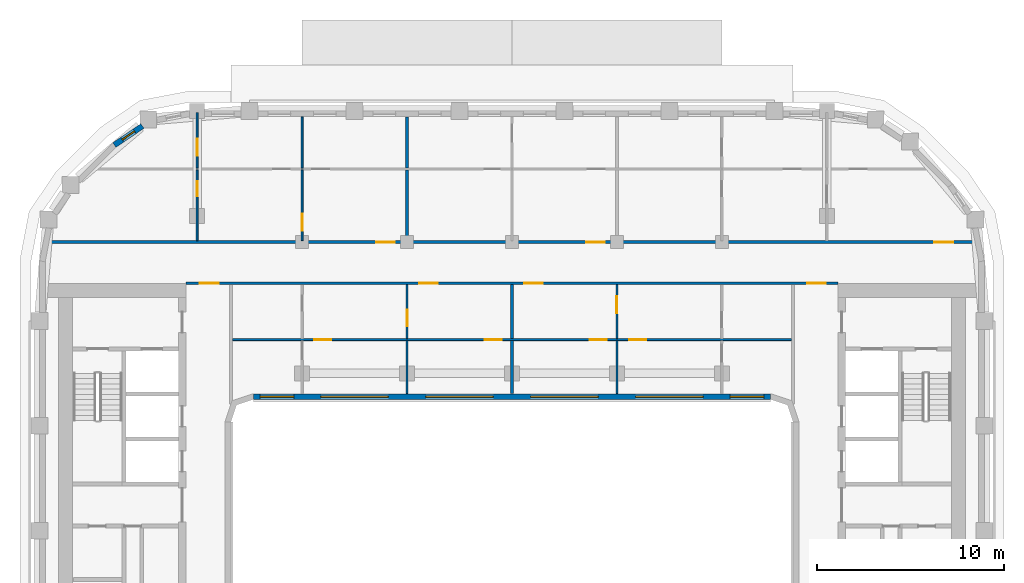
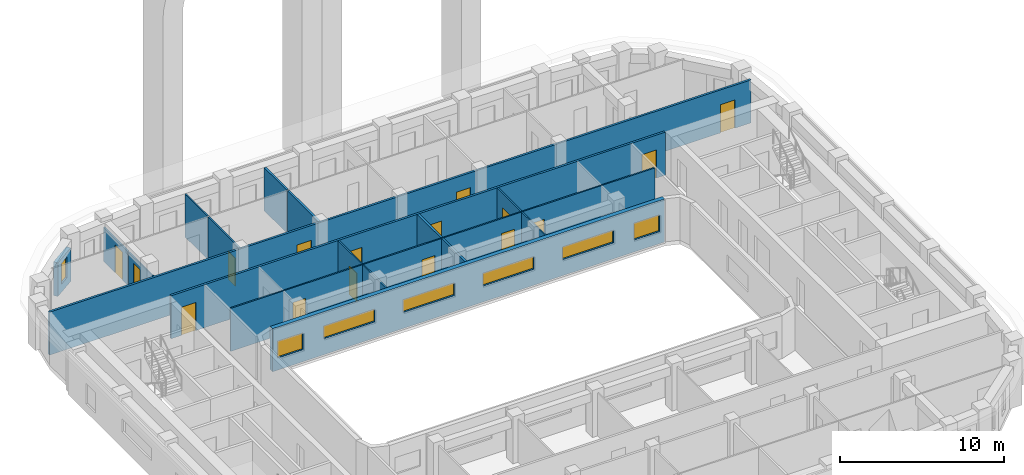
# One storey, part 6 of 18: 17 walls, 16 doors, 7 windows, 23 openings.
"""IFC4 building model written with IfcOpenShell, lengths in metres."""

from ifc_helpers import new_model, si_unit, direction, frame, frame_2d, origin, place, context, subcontext, project, spatial, rectangle, extrude, material, layer, layer_set, type_object, element, fill, save


model = new_model("IFC4")

# Units and contexts
model_context = context("Model", 3, precision=1e-05, world=origin(), true_north=direction((0.0, 1.0)))
body_context = subcontext(model_context, "Body", "Model", "MODEL_VIEW")
ifc_project = project(units=[si_unit("LENGTHUNIT", "METRE"), si_unit("AREAUNIT", "SQUARE_METRE"), si_unit("VOLUMEUNIT", "CUBIC_METRE"), si_unit("PLANEANGLEUNIT", "RADIAN"), si_unit("MASSUNIT", "GRAM", prefix="KILO")], contexts=[model_context])

# Site, building, storey
site_placement = place(None, origin())
site = spatial("IfcSite", under=ifc_project, at=site_placement, CompositionType="ELEMENT")
building_placement = place(site_placement, origin())
building = spatial("IfcBuilding", under=site, at=building_placement, Name="Kiln Ring Residences", CompositionType="ELEMENT")
storey_placement = place(building_placement, frame((0.0, 0.0, 209.89990234375)))
storey = spatial("IfcBuildingStorey", under=building, at=storey_placement, Name="L54", CompositionType="ELEMENT", Elevation=209.89990234375)

# Wall, opening, window
ifc_material_1 = material(Name="Brick masonry, dark clay brick", Category="masonry")
ifc_layer_1 = layer(ifc_material_1, 0.300048828125)
ifc_layer_set_1 = layer_set([ifc_layer_1], Name="EW-300 BRICK WALL")
wall_type_1 = type_object("IfcWallType", Name="EW-300 BRICK WALL", PredefinedType="SOLIDWALL", material=ifc_layer_set_1)
wall_1_placement = place(storey_placement, frame((-19.718994140625, 21.593994140625, 0.0), z_axis=(0.0, 0.0, 1.0), x_axis=(-0.827067282455, -0.562102935673, 0.0)))
wall_1 = element("IfcWall", 1, at=wall_1_placement, inside=storey, type_object=wall_type_1, Name="Facade wall L54 35", PredefinedType="SOLIDWALL", context=body_context, shape_type="SweptSolid", body=[
    extrude(rectangle(XDim=1.805908203125, YDim=0.300048828125, at=frame_2d((0.90283203125, 0.0))), origin(), (0.0, 0.0, 1.0), 2.5),
])
opening_1_placement = place(wall_1_placement, frame((0.5029296875, 0.0, 0.60009765625)))
opening_1 = element("IfcOpeningElement", 2, at=opening_1_placement, cuts=wall_1, Name="Opening W5", PredefinedType="OPENING", context=body_context, shape_type="SweptSolid", body=[
    extrude(rectangle(XDim=0.800048828125, YDim=1.550048828125, at=frame_2d((0.39990234375, 0.77490234375))), frame((0.0, 0.159912109375, 0.0), z_axis=(0.0, -1.0, 0.0), x_axis=(1.0, 0.0, 0.0)), (0.0, 0.0, 1.0), 0.320068359375),
])
ifc_material_2 = material(Name="Aluminium frame with double glazing", Category="aluminium")
window_type_1 = type_object("IfcWindowType", Name="WINDOW 800 x 1550", PartitioningType="SINGLE_PANEL", PredefinedType="WINDOW", material=ifc_material_2)
window_1_placement = place(opening_1_placement, origin())
window_1 = element("IfcWindow", 3, at=window_1_placement, inside=storey, type_object=window_type_1, Name="Window L54 32", OverallHeight=1.550048828125, OverallWidth=0.800048828125, PartitioningType="SINGLE_PANEL", PredefinedType="WINDOW", context=body_context, shape_type="SweptSolid", body=[
    extrude(rectangle(XDim=0.800048828125, YDim=1.550048828125, at=frame_2d((0.39990234375, 0.77490234375))), frame((0.0, 0.030029296875, 0.0), z_axis=(0.0, -1.0, 0.0), x_axis=(1.0, 0.0, 0.0)), (0.0, 0.0, 1.0), 0.06005859375),
])
fill(opening_1, window_1)

# Wall, openings, windows
wall_2_placement = place(storey_placement, frame((-13.800048828125, 7.14990234375, 0.0), z_axis=(0.0, 0.0, 1.0), x_axis=(1.0, 0.0, 0.0)))
wall_2 = element("IfcWall", 4, at=wall_2_placement, inside=storey, type_object=wall_type_1, Name="Facade wall L54 48", PredefinedType="SOLIDWALL", context=body_context, shape_type="SweptSolid", body=[
    extrude(rectangle(XDim=27.60009765625, YDim=0.300048828125, at=frame_2d((13.800048828125, 0.0))), origin(), (0.0, 0.0, 1.0), 3.2001953125),
])
opening_2_placement = place(wall_2_placement, frame((0.362548828125, 0.0, 0.89990234375)))
opening_2 = element("IfcOpeningElement", 5, at=opening_2_placement, cuts=wall_2, Name="Opening W2", PredefinedType="OPENING", context=body_context, shape_type="SweptSolid", body=[
    extrude(rectangle(XDim=1.800048828125, YDim=1.25, at=frame_2d((0.89990234375, 0.625))), frame((0.0, 0.159912109375, 0.0), z_axis=(0.0, -1.0, 0.0), x_axis=(1.0, 0.0, 0.0)), (0.0, 0.0, 1.0), 0.320068359375),
])
opening_3_placement = place(wall_2_placement, frame((3.60009765625, 0.0, 1.199951171875)))
opening_3 = element("IfcOpeningElement", 6, at=opening_3_placement, cuts=wall_2, Name="Opening W4", PredefinedType="OPENING", context=body_context, shape_type="SweptSolid", body=[
    extrude(rectangle(XDim=3.60009765625, YDim=0.949951171875, at=frame_2d((1.800048828125, 0.47509765625))), frame((0.0, 0.159912109375, 0.0), z_axis=(0.0, -1.0, 0.0), x_axis=(1.0, 0.0, 0.0)), (0.0, 0.0, 1.0), 0.320068359375),
])
opening_4_placement = place(wall_2_placement, frame((9.199951171875, 0.0, 1.199951171875)))
opening_4 = element("IfcOpeningElement", 7, at=opening_4_placement, cuts=wall_2, Name="Opening W4", PredefinedType="OPENING", context=body_context, shape_type="SweptSolid", body=[
    extrude(rectangle(XDim=3.60009765625, YDim=0.949951171875, at=frame_2d((1.800048828125, 0.47509765625))), frame((0.0, 0.159912109375, 0.0), z_axis=(0.0, -1.0, 0.0), x_axis=(1.0, 0.0, 0.0)), (0.0, 0.0, 1.0), 0.320068359375),
])
opening_5_placement = place(wall_2_placement, frame((14.800048828125, 0.0, 1.199951171875)))
opening_5 = element("IfcOpeningElement", 8, at=opening_5_placement, cuts=wall_2, Name="Opening W4", PredefinedType="OPENING", context=body_context, shape_type="SweptSolid", body=[
    extrude(rectangle(XDim=3.60009765625, YDim=0.949951171875, at=frame_2d((1.800048828125, 0.47509765625))), frame((0.0, 0.159912109375, 0.0), z_axis=(0.0, -1.0, 0.0), x_axis=(1.0, 0.0, 0.0)), (0.0, 0.0, 1.0), 0.320068359375),
])
opening_6_placement = place(wall_2_placement, frame((20.39990234375, 0.0, 1.199951171875)))
opening_6 = element("IfcOpeningElement", 9, at=opening_6_placement, cuts=wall_2, Name="Opening W4", PredefinedType="OPENING", context=body_context, shape_type="SweptSolid", body=[
    extrude(rectangle(XDim=3.60009765625, YDim=0.949951171875, at=frame_2d((1.800048828125, 0.47509765625))), frame((0.0, 0.159912109375, 0.0), z_axis=(0.0, -1.0, 0.0), x_axis=(1.0, 0.0, 0.0)), (0.0, 0.0, 1.0), 0.320068359375),
])
opening_7_placement = place(wall_2_placement, frame((25.4375, 0.0, 0.89990234375)))
opening_7 = element("IfcOpeningElement", 10, at=opening_7_placement, cuts=wall_2, Name="Opening W2", PredefinedType="OPENING", context=body_context, shape_type="SweptSolid", body=[
    extrude(rectangle(XDim=1.800048828125, YDim=1.25, at=frame_2d((0.89990234375, 0.625))), frame((0.0, 0.159912109375, 0.0), z_axis=(0.0, -1.0, 0.0), x_axis=(1.0, 0.0, 0.0)), (0.0, 0.0, 1.0), 0.320068359375),
])
ifc_material_3 = material(Name="Aluminium frame with double glazing", Category="aluminium")
window_type_2 = type_object("IfcWindowType", Name="WINDOW 1800 x 1250", PartitioningType="SINGLE_PANEL", PredefinedType="WINDOW", material=ifc_material_3)
window_2_placement = place(opening_2_placement, origin())
window_2 = element("IfcWindow", 11, at=window_2_placement, inside=storey, type_object=window_type_2, Name="Window L54 34", OverallHeight=1.25, OverallWidth=1.800048828125, PartitioningType="SINGLE_PANEL", PredefinedType="WINDOW", context=body_context, shape_type="SweptSolid", body=[
    extrude(rectangle(XDim=1.800048828125, YDim=1.25, at=frame_2d((0.89990234375, 0.625))), frame((0.0, 0.030029296875, 0.0), z_axis=(0.0, -1.0, 0.0), x_axis=(1.0, 0.0, 0.0)), (0.0, 0.0, 1.0), 0.06005859375),
])
fill(opening_2, window_2)
window_3_placement = place(opening_7_placement, origin())
window_3 = element("IfcWindow", 12, at=window_3_placement, inside=storey, type_object=window_type_2, Name="Window L54 39", OverallHeight=1.25, OverallWidth=1.800048828125, PartitioningType="SINGLE_PANEL", PredefinedType="WINDOW", context=body_context, shape_type="SweptSolid", body=[
    extrude(rectangle(XDim=1.800048828125, YDim=1.25, at=frame_2d((0.89990234375, 0.625))), frame((0.0, 0.030029296875, 0.0), z_axis=(0.0, -1.0, 0.0), x_axis=(1.0, 0.0, 0.0)), (0.0, 0.0, 1.0), 0.06005859375),
])
fill(opening_7, window_3)
ifc_material_4 = material(Name="Aluminium frame with double glazing", Category="aluminium")
window_type_3 = type_object("IfcWindowType", Name="WINDOW 3600 x 950", PartitioningType="SINGLE_PANEL", PredefinedType="WINDOW", material=ifc_material_4)
window_4_placement = place(opening_3_placement, origin())
window_4 = element("IfcWindow", 13, at=window_4_placement, inside=storey, type_object=window_type_3, Name="Window L54 35", OverallHeight=0.949951171875, OverallWidth=3.60009765625, PartitioningType="SINGLE_PANEL", PredefinedType="WINDOW", context=body_context, shape_type="SweptSolid", body=[
    extrude(rectangle(XDim=3.60009765625, YDim=0.949951171875, at=frame_2d((1.800048828125, 0.47509765625))), frame((0.0, 0.030029296875, 0.0), z_axis=(0.0, -1.0, 0.0), x_axis=(1.0, 0.0, 0.0)), (0.0, 0.0, 1.0), 0.06005859375),
])
fill(opening_3, window_4)
window_5_placement = place(opening_4_placement, origin())
window_5 = element("IfcWindow", 14, at=window_5_placement, inside=storey, type_object=window_type_3, Name="Window L54 36", OverallHeight=0.949951171875, OverallWidth=3.60009765625, PartitioningType="SINGLE_PANEL", PredefinedType="WINDOW", context=body_context, shape_type="SweptSolid", body=[
    extrude(rectangle(XDim=3.60009765625, YDim=0.949951171875, at=frame_2d((1.800048828125, 0.47509765625))), frame((0.0, 0.030029296875, 0.0), z_axis=(0.0, -1.0, 0.0), x_axis=(1.0, 0.0, 0.0)), (0.0, 0.0, 1.0), 0.06005859375),
])
fill(opening_4, window_5)
window_6_placement = place(opening_5_placement, origin())
window_6 = element("IfcWindow", 15, at=window_6_placement, inside=storey, type_object=window_type_3, Name="Window L54 37", OverallHeight=0.949951171875, OverallWidth=3.60009765625, PartitioningType="SINGLE_PANEL", PredefinedType="WINDOW", context=body_context, shape_type="SweptSolid", body=[
    extrude(rectangle(XDim=3.60009765625, YDim=0.949951171875, at=frame_2d((1.800048828125, 0.47509765625))), frame((0.0, 0.030029296875, 0.0), z_axis=(0.0, -1.0, 0.0), x_axis=(1.0, 0.0, 0.0)), (0.0, 0.0, 1.0), 0.06005859375),
])
fill(opening_5, window_6)
window_7_placement = place(opening_6_placement, origin())
window_7 = element("IfcWindow", 16, at=window_7_placement, inside=storey, type_object=window_type_3, Name="Window L54 38", OverallHeight=0.949951171875, OverallWidth=3.60009765625, PartitioningType="SINGLE_PANEL", PredefinedType="WINDOW", context=body_context, shape_type="SweptSolid", body=[
    extrude(rectangle(XDim=3.60009765625, YDim=0.949951171875, at=frame_2d((1.800048828125, 0.47509765625))), frame((0.0, 0.030029296875, 0.0), z_axis=(0.0, -1.0, 0.0), x_axis=(1.0, 0.0, 0.0)), (0.0, 0.0, 1.0), 0.06005859375),
])
fill(opening_6, window_7)

# Wall, openings, doors
ifc_material_5 = material(Name="Gypsum board on steel studs", Category="steel")
ifc_layer_2 = layer(ifc_material_5, 0.10009765625)
ifc_layer_set_2 = layer_set([ifc_layer_2], Name="PARTITION-100")
wall_type_2 = type_object("IfcWallType", Name="PARTITION-100", PredefinedType="PARTITIONING", material=ifc_layer_set_2)
wall_3_placement = place(storey_placement, frame((-14.925048828125, 10.199951171875, 0.0), z_axis=(0.0, 0.0, 1.0), x_axis=(1.0, 0.0, 0.0)))
wall_3 = element("IfcWall", 17, at=wall_3_placement, inside=storey, type_object=wall_type_2, Name="Partition 003", PredefinedType="PARTITIONING", context=body_context, shape_type="SweptSolid", body=[
    extrude(rectangle(XDim=29.85009765625, YDim=0.10009765625, at=frame_2d((14.925048828125, 0.0))), origin(), (0.0, 0.0, 1.0), 3.2001953125),
])
opening_8_placement = place(wall_3_placement, frame((13.47509765625, 0.0, 0.0)))
opening_8 = element("IfcOpeningElement", 18, at=opening_8_placement, cuts=wall_3, Name="Opening L54-D008", PredefinedType="OPENING", context=body_context, shape_type="SweptSolid", body=[
    extrude(rectangle(XDim=0.89990234375, YDim=2.10009765625, at=frame_2d((0.449951171875, 1.050048828125))), frame((0.0, 0.06005859375, 0.0), z_axis=(0.0, -1.0, 0.0), x_axis=(1.0, 0.0, 0.0)), (0.0, 0.0, 1.0), 0.1201171875),
])
opening_9_placement = place(wall_3_placement, frame((4.375, 0.0, 0.0)))
opening_9 = element("IfcOpeningElement", 19, at=opening_9_placement, cuts=wall_3, Name="Opening L54-D009", PredefinedType="OPENING", context=body_context, shape_type="SweptSolid", body=[
    extrude(rectangle(XDim=0.89990234375, YDim=2.10009765625, at=frame_2d((0.449951171875, 1.050048828125))), frame((0.0, 0.06005859375, 0.0), z_axis=(0.0, -1.0, 0.0), x_axis=(1.0, 0.0, 0.0)), (0.0, 0.0, 1.0), 0.1201171875),
])
opening_10_placement = place(wall_3_placement, frame((19.074951171875, 0.0, 0.0)))
opening_10 = element("IfcOpeningElement", 20, at=opening_10_placement, cuts=wall_3, Name="Opening L54-D014", PredefinedType="OPENING", context=body_context, shape_type="SweptSolid", body=[
    extrude(rectangle(XDim=0.89990234375, YDim=2.10009765625, at=frame_2d((0.449951171875, 1.050048828125))), frame((0.0, 0.06005859375, 0.0), z_axis=(0.0, -1.0, 0.0), x_axis=(1.0, 0.0, 0.0)), (0.0, 0.0, 1.0), 0.1201171875),
])
opening_11_placement = place(wall_3_placement, frame((21.175048828125, 0.0, 0.0)))
opening_11 = element("IfcOpeningElement", 21, at=opening_11_placement, cuts=wall_3, Name="Opening L54-D015", PredefinedType="OPENING", context=body_context, shape_type="SweptSolid", body=[
    extrude(rectangle(XDim=0.89990234375, YDim=2.10009765625, at=frame_2d((0.449951171875, 1.050048828125))), frame((0.0, 0.06005859375, 0.0), z_axis=(0.0, -1.0, 0.0), x_axis=(1.0, 0.0, 0.0)), (0.0, 0.0, 1.0), 0.1201171875),
])
ifc_material_6 = material(Name="Timber door leaf", Category="wood")
door_type_1 = type_object("IfcDoorType", Name="FLAT-DOOR-900-PL", OperationType="SINGLE_SWING_LEFT", PredefinedType="DOOR", material=ifc_material_6)
door_1_placement = place(opening_8_placement, origin())
door_1 = element("IfcDoor", 22, at=door_1_placement, inside=storey, type_object=door_type_1, Name="Door L54-D008", OperationType="SINGLE_SWING_RIGHT", OverallHeight=2.10009765625, OverallWidth=0.89990234375, PredefinedType="DOOR", context=body_context, shape_type="SweptSolid", body=[
    extrude(rectangle(XDim=0.89990234375, YDim=2.10009765625, at=frame_2d((0.449951171875, 1.050048828125))), frame((0.0, 0.02490234375, 0.0), z_axis=(0.0, -1.0, 0.0), x_axis=(1.0, 0.0, 0.0)), (0.0, 0.0, 1.0), 0.050048828125),
])
fill(opening_8, door_1)
door_2_placement = place(opening_9_placement, origin())
door_2 = element("IfcDoor", 23, at=door_2_placement, inside=storey, type_object=door_type_1, Name="Door L54-D009", OperationType="SINGLE_SWING_LEFT", OverallHeight=2.10009765625, OverallWidth=0.89990234375, PredefinedType="DOOR", context=body_context, shape_type="SweptSolid", body=[
    extrude(rectangle(XDim=0.89990234375, YDim=2.10009765625, at=frame_2d((0.449951171875, 1.050048828125))), frame((0.0, 0.02490234375, 0.0), z_axis=(0.0, -1.0, 0.0), x_axis=(1.0, 0.0, 0.0)), (0.0, 0.0, 1.0), 0.050048828125),
])
fill(opening_9, door_2)
door_3_placement = place(opening_10_placement, origin())
door_3 = element("IfcDoor", 24, at=door_3_placement, inside=storey, type_object=door_type_1, Name="Door L54-D014", OperationType="SINGLE_SWING_RIGHT", OverallHeight=2.10009765625, OverallWidth=0.89990234375, PredefinedType="DOOR", context=body_context, shape_type="SweptSolid", body=[
    extrude(rectangle(XDim=0.89990234375, YDim=2.10009765625, at=frame_2d((0.449951171875, 1.050048828125))), frame((0.0, 0.02490234375, 0.0), z_axis=(0.0, -1.0, 0.0), x_axis=(1.0, 0.0, 0.0)), (0.0, 0.0, 1.0), 0.050048828125),
])
fill(opening_10, door_3)
door_4_placement = place(opening_11_placement, origin())
door_4 = element("IfcDoor", 25, at=door_4_placement, inside=storey, type_object=door_type_1, Name="Door L54-D015", OperationType="SINGLE_SWING_LEFT", OverallHeight=2.10009765625, OverallWidth=0.89990234375, PredefinedType="DOOR", context=body_context, shape_type="SweptSolid", body=[
    extrude(rectangle(XDim=0.89990234375, YDim=2.10009765625, at=frame_2d((0.449951171875, 1.050048828125))), frame((0.0, 0.02490234375, 0.0), z_axis=(0.0, -1.0, 0.0), x_axis=(1.0, 0.0, 0.0)), (0.0, 0.0, 1.0), 0.050048828125),
])
fill(opening_11, door_4)

# Wall, opening, door
wall_4_placement = place(storey_placement, frame((-16.800048828125, 15.47509765625, 0.0), z_axis=(0.0, 0.0, 1.0), x_axis=(0.0, 1.0, 0.0)))
wall_4 = element("IfcWall", 26, at=wall_4_placement, inside=storey, type_object=wall_type_2, Name="Partition 009", PredefinedType="PARTITIONING", context=body_context, shape_type="SweptSolid", body=[
    extrude(rectangle(XDim=3.77490234375, YDim=0.10009765625, at=frame_2d((1.887451171875, 0.0))), origin(), (0.0, 0.0, 1.0), 2.550048828125),
])
opening_12_placement = place(wall_4_placement, frame((2.375, 0.0, 0.0)))
opening_12 = element("IfcOpeningElement", 27, at=opening_12_placement, cuts=wall_4, Name="Opening L54-D019", PredefinedType="OPENING", context=body_context, shape_type="SweptSolid", body=[
    extrude(rectangle(XDim=0.800048828125, YDim=2.10009765625, at=frame_2d((0.39990234375, 1.050048828125))), frame((0.0, 0.06005859375, 0.0), z_axis=(0.0, -1.0, 0.0), x_axis=(1.0, 0.0, 0.0)), (0.0, 0.0, 1.0), 0.1201171875),
])
ifc_material_7 = material(Name="Timber door leaf", Category="wood")
door_type_2 = type_object("IfcDoorType", Name="FLAT-DOOR-800-PL", OperationType="SINGLE_SWING_LEFT", PredefinedType="DOOR", material=ifc_material_7)
door_5_placement = place(opening_12_placement, origin())
door_5 = element("IfcDoor", 28, at=door_5_placement, inside=storey, type_object=door_type_2, Name="Door L54-D019", OperationType="SINGLE_SWING_LEFT", OverallHeight=2.10009765625, OverallWidth=0.800048828125, PredefinedType="DOOR", context=body_context, shape_type="SweptSolid", body=[
    extrude(rectangle(XDim=0.800048828125, YDim=2.10009765625, at=frame_2d((0.39990234375, 1.050048828125))), frame((0.0, 0.02490234375, 0.0), z_axis=(0.0, -1.0, 0.0), x_axis=(1.0, 0.0, 0.0)), (0.0, 0.0, 1.0), 0.050048828125),
])
fill(opening_12, door_5)

wall_5_placement = place(storey_placement, frame((-16.800048828125, 19.35009765625, 0.0), z_axis=(0.0, 0.0, 1.0), x_axis=(0.0, 1.0, 0.0)))
wall_5 = element("IfcWall", 29, at=wall_5_placement, inside=storey, type_object=wall_type_2, Name="Partition 010", PredefinedType="PARTITIONING", context=body_context, shape_type="SweptSolid", body=[
    extrude(rectangle(XDim=2.9599609375, YDim=0.10009765625, at=frame_2d((1.47998046875, 0.0))), origin(), (0.0, 0.0, 1.0), 2.550048828125),
])
opening_13_placement = place(wall_5_placement, frame((0.659912109375, 0.0, 0.0)))
opening_13 = element("IfcOpeningElement", 30, at=opening_13_placement, cuts=wall_5, Name="Opening L54-D022", PredefinedType="OPENING", context=body_context, shape_type="SweptSolid", body=[
    extrude(rectangle(XDim=0.89990234375, YDim=2.10009765625, at=frame_2d((0.449951171875, 1.050048828125))), frame((0.0, 0.06005859375, 0.0), z_axis=(0.0, -1.0, 0.0), x_axis=(1.0, 0.0, 0.0)), (0.0, 0.0, 1.0), 0.1201171875),
])
door_6_placement = place(opening_13_placement, origin())
door_6 = element("IfcDoor", 31, at=door_6_placement, inside=storey, type_object=door_type_1, Name="Door L54-D022", OperationType="SINGLE_SWING_RIGHT", OverallHeight=2.10009765625, OverallWidth=0.89990234375, PredefinedType="DOOR", context=body_context, shape_type="SweptSolid", body=[
    extrude(rectangle(XDim=0.89990234375, YDim=2.10009765625, at=frame_2d((0.449951171875, 1.050048828125))), frame((0.0, 0.02490234375, 0.0), z_axis=(0.0, -1.0, 0.0), x_axis=(1.0, 0.0, 0.0)), (0.0, 0.0, 1.0), 0.050048828125),
])
fill(opening_13, door_6)

wall_6_placement = place(storey_placement, frame((-11.199951171875, 15.47509765625, 0.0), z_axis=(0.0, 0.0, 1.0), x_axis=(0.0, 1.0, 0.0)))
wall_6 = element("IfcWall", 32, at=wall_6_placement, inside=storey, type_object=wall_type_2, Name="Partition 018", PredefinedType="PARTITIONING", context=body_context, shape_type="SweptSolid", body=[
    extrude(rectangle(XDim=3.77490234375, YDim=0.10009765625, at=frame_2d((1.887451171875, 0.0))), origin(), (0.0, 0.0, 1.0), 3.2001953125),
])
opening_14_placement = place(wall_6_placement, frame((0.52490234375, 0.0, 0.0)))
opening_14 = element("IfcOpeningElement", 33, at=opening_14_placement, cuts=wall_6, Name="Opening L54-D018", PredefinedType="OPENING", context=body_context, shape_type="SweptSolid", body=[
    extrude(rectangle(XDim=0.89990234375, YDim=2.10009765625, at=frame_2d((0.449951171875, 1.050048828125))), frame((0.0, 0.06005859375, 0.0), z_axis=(0.0, -1.0, 0.0), x_axis=(1.0, 0.0, 0.0)), (0.0, 0.0, 1.0), 0.1201171875),
])
door_7_placement = place(opening_14_placement, origin())
door_7 = element("IfcDoor", 34, at=door_7_placement, inside=storey, type_object=door_type_1, Name="Door L54-D018", OperationType="SINGLE_SWING_RIGHT", OverallHeight=2.10009765625, OverallWidth=0.89990234375, PredefinedType="DOOR", context=body_context, shape_type="SweptSolid", body=[
    extrude(rectangle(XDim=0.89990234375, YDim=2.10009765625, at=frame_2d((0.449951171875, 1.050048828125))), frame((0.0, 0.02490234375, 0.0), z_axis=(0.0, -1.0, 0.0), x_axis=(1.0, 0.0, 0.0)), (0.0, 0.0, 1.0), 0.050048828125),
])
fill(opening_14, door_7)

# Walls
wall_7_placement = place(storey_placement, frame((-11.199951171875, 19.35009765625, 0.0), z_axis=(0.0, 0.0, 1.0), x_axis=(0.0, 1.0, 0.0)))
element("IfcWall", 35, at=wall_7_placement, inside=storey, type_object=wall_type_2, Name="Partition 019", PredefinedType="PARTITIONING", context=body_context, shape_type="SweptSolid", body=[
    extrude(rectangle(XDim=2.72998046875, YDim=0.10009765625, at=frame_2d((1.364990234375, 0.0))), origin(), (0.0, 0.0, 1.0), 3.2001953125),
])
wall_8_placement = place(storey_placement, frame((-5.60009765625, 7.320068359375, 0.0), z_axis=(0.0, 0.0, 1.0), x_axis=(0.0, 1.0, 0.0)))
element("IfcWall", 36, at=wall_8_placement, inside=storey, type_object=wall_type_2, Name="Partition 021", PredefinedType="PARTITIONING", context=body_context, shape_type="SweptSolid", body=[
    extrude(rectangle(XDim=2.829833984375, YDim=0.10009765625, at=frame_2d((1.4150390625, 0.0))), origin(), (0.0, 0.0, 1.0), 3.2001953125),
])

# Wall, opening, door
wall_9_placement = place(storey_placement, frame((-5.60009765625, 10.25, 0.0), z_axis=(0.0, 0.0, 1.0), x_axis=(0.0, 1.0, 0.0)))
wall_9 = element("IfcWall", 37, at=wall_9_placement, inside=storey, type_object=wall_type_2, Name="Partition 022", PredefinedType="PARTITIONING", context=body_context, shape_type="SweptSolid", body=[
    extrude(rectangle(XDim=2.875, YDim=0.10009765625, at=frame_2d((1.4375, 0.0))), origin(), (0.0, 0.0, 1.0), 3.2001953125),
])
opening_15_placement = place(wall_9_placement, frame((0.64892578125, 0.0, 0.0)))
opening_15 = element("IfcOpeningElement", 38, at=opening_15_placement, cuts=wall_9, Name="Opening L54-D006", PredefinedType="OPENING", context=body_context, shape_type="SweptSolid", body=[
    extrude(rectangle(XDim=0.89990234375, YDim=2.10009765625, at=frame_2d((0.449951171875, 1.050048828125))), frame((0.0, 0.06005859375, 0.0), z_axis=(0.0, -1.0, 0.0), x_axis=(1.0, 0.0, 0.0)), (0.0, 0.0, 1.0), 0.1201171875),
])
door_8_placement = place(opening_15_placement, origin())
door_8 = element("IfcDoor", 39, at=door_8_placement, inside=storey, type_object=door_type_1, Name="Door L54-D006", OperationType="SINGLE_SWING_RIGHT", OverallHeight=2.10009765625, OverallWidth=0.89990234375, PredefinedType="DOOR", context=body_context, shape_type="SweptSolid", body=[
    extrude(rectangle(XDim=0.89990234375, YDim=2.10009765625, at=frame_2d((0.449951171875, 1.050048828125))), frame((0.0, 0.02490234375, 0.0), z_axis=(0.0, -1.0, 0.0), x_axis=(1.0, 0.0, 0.0)), (0.0, 0.0, 1.0), 0.050048828125),
])
fill(opening_15, door_8)

# Wall
wall_10_placement = place(storey_placement, frame((5.60009765625, 7.320068359375, 0.0), z_axis=(0.0, 0.0, 1.0), x_axis=(0.0, 1.0, 0.0)))
element("IfcWall", 40, at=wall_10_placement, inside=storey, type_object=wall_type_2, Name="Partition 035", PredefinedType="PARTITIONING", context=body_context, shape_type="SweptSolid", body=[
    extrude(rectangle(XDim=2.829833984375, YDim=0.10009765625, at=frame_2d((1.4150390625, 0.0))), origin(), (0.0, 0.0, 1.0), 3.2001953125),
])

# Wall, opening, door
wall_11_placement = place(storey_placement, frame((5.60009765625, 10.25, 0.0), z_axis=(0.0, 0.0, 1.0), x_axis=(0.0, 1.0, 0.0)))
wall_11 = element("IfcWall", 41, at=wall_11_placement, inside=storey, type_object=wall_type_2, Name="Partition 036", PredefinedType="PARTITIONING", context=body_context, shape_type="SweptSolid", body=[
    extrude(rectangle(XDim=2.875, YDim=0.10009765625, at=frame_2d((1.4375, 0.0))), origin(), (0.0, 0.0, 1.0), 3.2001953125),
])
opening_16_placement = place(wall_11_placement, frame((1.35009765625, 0.0, 0.0)))
opening_16 = element("IfcOpeningElement", 42, at=opening_16_placement, cuts=wall_11, Name="Opening L54-D012", PredefinedType="OPENING", context=body_context, shape_type="SweptSolid", body=[
    extrude(rectangle(XDim=0.89990234375, YDim=2.10009765625, at=frame_2d((0.449951171875, 1.050048828125))), frame((0.0, 0.06005859375, 0.0), z_axis=(0.0, -1.0, 0.0), x_axis=(1.0, 0.0, 0.0)), (0.0, 0.0, 1.0), 0.1201171875),
])
door_9_placement = place(opening_16_placement, origin())
door_9 = element("IfcDoor", 43, at=door_9_placement, inside=storey, type_object=door_type_1, Name="Door L54-D012", OperationType="SINGLE_SWING_RIGHT", OverallHeight=2.10009765625, OverallWidth=0.89990234375, PredefinedType="DOOR", context=body_context, shape_type="SweptSolid", body=[
    extrude(rectangle(XDim=0.89990234375, YDim=2.10009765625, at=frame_2d((0.449951171875, 1.050048828125))), frame((0.0, 0.02490234375, 0.0), z_axis=(0.0, -1.0, 0.0), x_axis=(1.0, 0.0, 0.0)), (0.0, 0.0, 1.0), 0.050048828125),
])
fill(opening_16, door_9)

# Wall, openings, doors
ifc_material_8 = material(Name="Brick masonry partition", Category="masonry")
ifc_layer_3 = layer(ifc_material_8, 0.14990234375)
ifc_layer_set_3 = layer_set([ifc_layer_3], Name="PARTITION-150-ei60")
wall_type_3 = type_object("IfcWallType", Name="PARTITION-150-ei60", PredefinedType="PARTITIONING", material=ifc_layer_set_3)
wall_12_placement = place(storey_placement, frame((-17.39990234375, 13.199951171875, 0.0), z_axis=(0.0, 0.0, 1.0), x_axis=(1.0, 0.0, 0.0)))
wall_12 = element("IfcWall", 44, at=wall_12_placement, inside=storey, type_object=wall_type_3, Name="Partition 004", PredefinedType="PARTITIONING", context=body_context, shape_type="SweptSolid", body=[
    extrude(rectangle(XDim=34.7998046875, YDim=0.14990234375, at=frame_2d((17.39990234375, 0.0))), origin(), (0.0, 0.0, 1.0), 3.2001953125),
])
opening_17_placement = place(wall_12_placement, frame((0.75, 0.0, 0.0)))
opening_17 = element("IfcOpeningElement", 45, at=opening_17_placement, cuts=wall_12, Name="Opening L54-D001", PredefinedType="OPENING", context=body_context, shape_type="SweptSolid", body=[
    extrude(rectangle(XDim=1.0, YDim=2.10009765625, at=frame_2d((0.5, 1.050048828125))), frame((0.0, 0.0849609375, 0.0), z_axis=(0.0, -1.0, 0.0), x_axis=(1.0, 0.0, 0.0)), (0.0, 0.0, 1.0), 0.169921875),
])
opening_18_placement = place(wall_12_placement, frame((33.14990234375, 0.0, 0.0)))
opening_18 = element("IfcOpeningElement", 46, at=opening_18_placement, cuts=wall_12, Name="Opening L54-D002", PredefinedType="OPENING", context=body_context, shape_type="SweptSolid", body=[
    extrude(rectangle(XDim=1.0, YDim=2.10009765625, at=frame_2d((0.5, 1.050048828125))), frame((0.0, 0.0849609375, 0.0), z_axis=(0.0, -1.0, 0.0), x_axis=(1.0, 0.0, 0.0)), (0.0, 0.0, 1.0), 0.169921875),
])
opening_19_placement = place(wall_12_placement, frame((12.449951171875, 0.0, 0.0)))
opening_19 = element("IfcOpeningElement", 47, at=opening_19_placement, cuts=wall_12, Name="Opening L54-D005", PredefinedType="OPENING", context=body_context, shape_type="SweptSolid", body=[
    extrude(rectangle(XDim=1.0, YDim=2.10009765625, at=frame_2d((0.5, 1.050048828125))), frame((0.0, 0.0849609375, 0.0), z_axis=(0.0, -1.0, 0.0), x_axis=(1.0, 0.0, 0.0)), (0.0, 0.0, 1.0), 0.169921875),
])
opening_20_placement = place(wall_12_placement, frame((18.050048828125, 0.0, 0.0)))
opening_20 = element("IfcOpeningElement", 48, at=opening_20_placement, cuts=wall_12, Name="Opening L54-D011", PredefinedType="OPENING", context=body_context, shape_type="SweptSolid", body=[
    extrude(rectangle(XDim=1.0, YDim=2.10009765625, at=frame_2d((0.5, 1.050048828125))), frame((0.0, 0.0849609375, 0.0), z_axis=(0.0, -1.0, 0.0), x_axis=(1.0, 0.0, 0.0)), (0.0, 0.0, 1.0), 0.169921875),
])
ifc_material_9 = material(Name="Steel faced fire door leaf", Category="steel")
door_type_3 = type_object("IfcDoorType", Name="FLAT-DOOR-1000-FR", OperationType="SINGLE_SWING_LEFT", PredefinedType="DOOR", material=ifc_material_9)
door_10_placement = place(opening_17_placement, origin())
door_10 = element("IfcDoor", 49, at=door_10_placement, inside=storey, type_object=door_type_3, Name="Door L54-D001", OperationType="SINGLE_SWING_RIGHT", OverallHeight=2.10009765625, OverallWidth=1.0, PredefinedType="DOOR", context=body_context, shape_type="SweptSolid", body=[
    extrude(rectangle(XDim=1.0, YDim=2.10009765625, at=frame_2d((0.5, 1.050048828125))), frame((0.0, 0.02490234375, 0.0), z_axis=(0.0, -1.0, 0.0), x_axis=(1.0, 0.0, 0.0)), (0.0, 0.0, 1.0), 0.050048828125),
])
fill(opening_17, door_10)
door_11_placement = place(opening_18_placement, origin())
door_11 = element("IfcDoor", 50, at=door_11_placement, inside=storey, type_object=door_type_3, Name="Door L54-D002", OperationType="SINGLE_SWING_LEFT", OverallHeight=2.10009765625, OverallWidth=1.0, PredefinedType="DOOR", context=body_context, shape_type="SweptSolid", body=[
    extrude(rectangle(XDim=1.0, YDim=2.10009765625, at=frame_2d((0.5, 1.050048828125))), frame((0.0, 0.02490234375, 0.0), z_axis=(0.0, -1.0, 0.0), x_axis=(1.0, 0.0, 0.0)), (0.0, 0.0, 1.0), 0.050048828125),
])
fill(opening_18, door_11)
door_12_placement = place(opening_19_placement, origin())
door_12 = element("IfcDoor", 51, at=door_12_placement, inside=storey, type_object=door_type_3, Name="Door L54-D005", OperationType="SINGLE_SWING_LEFT", OverallHeight=2.10009765625, OverallWidth=1.0, PredefinedType="DOOR", context=body_context, shape_type="SweptSolid", body=[
    extrude(rectangle(XDim=1.0, YDim=2.10009765625, at=frame_2d((0.5, 1.050048828125))), frame((0.0, 0.02490234375, 0.0), z_axis=(0.0, -1.0, 0.0), x_axis=(1.0, 0.0, 0.0)), (0.0, 0.0, 1.0), 0.050048828125),
])
fill(opening_19, door_12)
door_13_placement = place(opening_20_placement, origin())
door_13 = element("IfcDoor", 52, at=door_13_placement, inside=storey, type_object=door_type_3, Name="Door L54-D011", OperationType="SINGLE_SWING_LEFT", OverallHeight=2.10009765625, OverallWidth=1.0, PredefinedType="DOOR", context=body_context, shape_type="SweptSolid", body=[
    extrude(rectangle(XDim=1.0, YDim=2.10009765625, at=frame_2d((0.5, 1.050048828125))), frame((0.0, 0.02490234375, 0.0), z_axis=(0.0, -1.0, 0.0), x_axis=(1.0, 0.0, 0.0)), (0.0, 0.0, 1.0), 0.050048828125),
])
fill(opening_20, door_13)

wall_13_placement = place(storey_placement, frame((-24.683837890625, 15.39990234375, 0.0), z_axis=(0.0, 0.0, 1.0), x_axis=(1.0, 0.0, 0.0)))
wall_13 = element("IfcWall", 53, at=wall_13_placement, inside=storey, type_object=wall_type_3, Name="Partition 005", PredefinedType="PARTITIONING", context=body_context, shape_type="SweptSolid", body=[
    extrude(rectangle(XDim=49.36767578125, YDim=0.14990234375, at=frame_2d((24.683837890625, 0.0))), origin(), (0.0, 0.0, 1.0), 3.2001953125),
])
opening_21_placement = place(wall_13_placement, frame((17.433837890625, 0.0, 0.0)))
opening_21 = element("IfcOpeningElement", 54, at=opening_21_placement, cuts=wall_13, Name="Opening L54-D017", PredefinedType="OPENING", context=body_context, shape_type="SweptSolid", body=[
    extrude(rectangle(XDim=1.0, YDim=2.10009765625, at=frame_2d((0.5, 1.050048828125))), frame((0.0, 0.0849609375, 0.0), z_axis=(0.0, -1.0, 0.0), x_axis=(1.0, 0.0, 0.0)), (0.0, 0.0, 1.0), 0.169921875),
])
opening_22_placement = place(wall_13_placement, frame((28.6337890625, 0.0, 0.0)))
opening_22 = element("IfcOpeningElement", 55, at=opening_22_placement, cuts=wall_13, Name="Opening L54-D023", PredefinedType="OPENING", context=body_context, shape_type="SweptSolid", body=[
    extrude(rectangle(XDim=1.0, YDim=2.10009765625, at=frame_2d((0.5, 1.050048828125))), frame((0.0, 0.0849609375, 0.0), z_axis=(0.0, -1.0, 0.0), x_axis=(1.0, 0.0, 0.0)), (0.0, 0.0, 1.0), 0.169921875),
])
opening_23_placement = place(wall_13_placement, frame((47.224853515625, 0.0, 0.0)))
opening_23 = element("IfcOpeningElement", 56, at=opening_23_placement, cuts=wall_13, Name="Opening L54-D027", PredefinedType="OPENING", context=body_context, shape_type="SweptSolid", body=[
    extrude(rectangle(XDim=1.0, YDim=2.10009765625, at=frame_2d((0.5, 1.050048828125))), frame((0.0, 0.0849609375, 0.0), z_axis=(0.0, -1.0, 0.0), x_axis=(1.0, 0.0, 0.0)), (0.0, 0.0, 1.0), 0.169921875),
])
door_14_placement = place(opening_21_placement, origin())
door_14 = element("IfcDoor", 57, at=door_14_placement, inside=storey, type_object=door_type_3, Name="Door L54-D017", OperationType="SINGLE_SWING_LEFT", OverallHeight=2.10009765625, OverallWidth=1.0, PredefinedType="DOOR", context=body_context, shape_type="SweptSolid", body=[
    extrude(rectangle(XDim=1.0, YDim=2.10009765625, at=frame_2d((0.5, 1.050048828125))), frame((0.0, 0.02490234375, 0.0), z_axis=(0.0, -1.0, 0.0), x_axis=(1.0, 0.0, 0.0)), (0.0, 0.0, 1.0), 0.050048828125),
])
fill(opening_21, door_14)
door_15_placement = place(opening_22_placement, origin())
door_15 = element("IfcDoor", 58, at=door_15_placement, inside=storey, type_object=door_type_3, Name="Door L54-D023", OperationType="SINGLE_SWING_LEFT", OverallHeight=2.10009765625, OverallWidth=1.0, PredefinedType="DOOR", context=body_context, shape_type="SweptSolid", body=[
    extrude(rectangle(XDim=1.0, YDim=2.10009765625, at=frame_2d((0.5, 1.050048828125))), frame((0.0, 0.02490234375, 0.0), z_axis=(0.0, -1.0, 0.0), x_axis=(1.0, 0.0, 0.0)), (0.0, 0.0, 1.0), 0.050048828125),
])
fill(opening_22, door_15)
door_16_placement = place(opening_23_placement, origin())
door_16 = element("IfcDoor", 59, at=door_16_placement, inside=storey, type_object=door_type_3, Name="Door L54-D027", OperationType="SINGLE_SWING_LEFT", OverallHeight=2.10009765625, OverallWidth=1.0, PredefinedType="DOOR", context=body_context, shape_type="SweptSolid", body=[
    extrude(rectangle(XDim=1.0, YDim=2.10009765625, at=frame_2d((0.5, 1.050048828125))), frame((0.0, 0.02490234375, 0.0), z_axis=(0.0, -1.0, 0.0), x_axis=(1.0, 0.0, 0.0)), (0.0, 0.0, 1.0), 0.050048828125),
])
fill(opening_23, door_16)

# Walls
wall_14_placement = place(storey_placement, frame((-5.60009765625, 15.47509765625, 0.0), z_axis=(0.0, 0.0, 1.0), x_axis=(0.0, 1.0, 0.0)))
element("IfcWall", 60, at=wall_14_placement, inside=storey, type_object=wall_type_3, Name="Partition 025", PredefinedType="PARTITIONING", context=body_context, shape_type="SweptSolid", body=[
    extrude(rectangle(XDim=3.77490234375, YDim=0.14990234375, at=frame_2d((1.887451171875, 0.0))), origin(), (0.0, 0.0, 1.0), 3.2001953125),
])
wall_15_placement = place(storey_placement, frame((-5.60009765625, 19.35009765625, 0.0), z_axis=(0.0, 0.0, 1.0), x_axis=(0.0, 1.0, 0.0)))
element("IfcWall", 61, at=wall_15_placement, inside=storey, type_object=wall_type_3, Name="Partition 026", PredefinedType="PARTITIONING", context=body_context, shape_type="SweptSolid", body=[
    extrude(rectangle(XDim=2.72998046875, YDim=0.14990234375, at=frame_2d((1.364990234375, 0.0))), origin(), (0.0, 0.0, 1.0), 3.2001953125),
])
wall_16_placement = place(storey_placement, frame((0.0, 7.320068359375, 0.0), z_axis=(0.0, 0.0, 1.0), x_axis=(0.0, 1.0, 0.0)))
element("IfcWall", 62, at=wall_16_placement, inside=storey, type_object=wall_type_3, Name="Partition 032", PredefinedType="PARTITIONING", context=body_context, shape_type="SweptSolid", body=[
    extrude(rectangle(XDim=2.829833984375, YDim=0.14990234375, at=frame_2d((1.4150390625, 0.0))), origin(), (0.0, 0.0, 1.0), 3.2001953125),
])
wall_17_placement = place(storey_placement, frame((0.0, 10.25, 0.0), z_axis=(0.0, 0.0, 1.0), x_axis=(0.0, 1.0, 0.0)))
element("IfcWall", 63, at=wall_17_placement, inside=storey, type_object=wall_type_3, Name="Partition 033", PredefinedType="PARTITIONING", context=body_context, shape_type="SweptSolid", body=[
    extrude(rectangle(XDim=2.875, YDim=0.14990234375, at=frame_2d((1.4375, 0.0))), origin(), (0.0, 0.0, 1.0), 3.2001953125),
])

save(model, "model.ifc")
